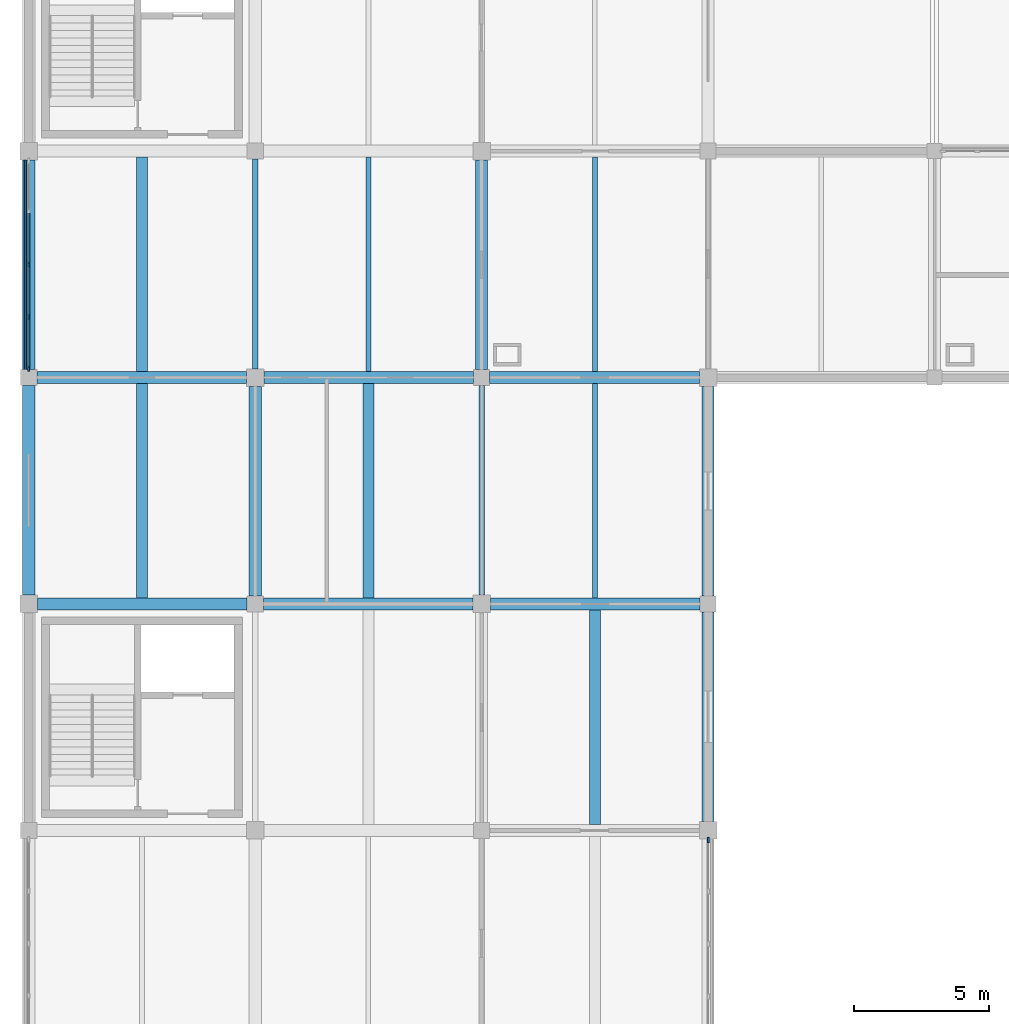
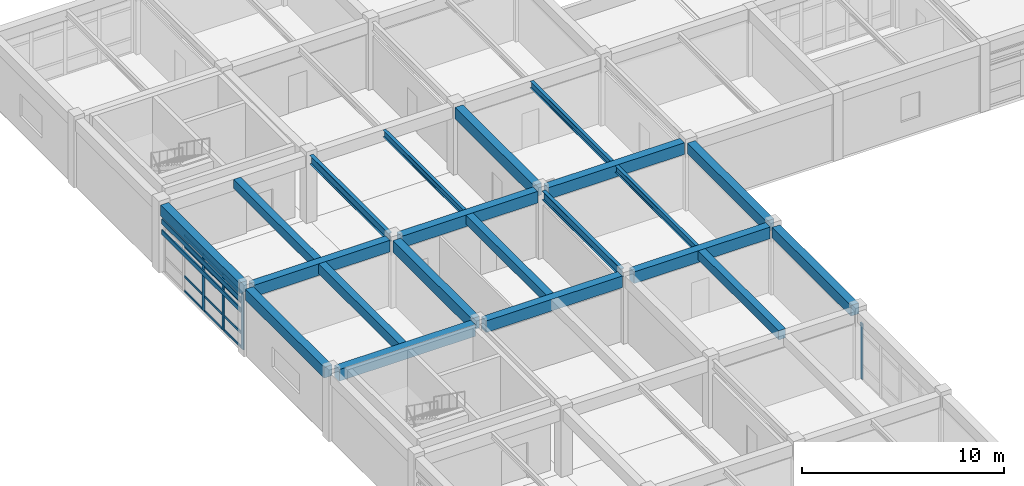
# One storey, part 11 of 74: 21 beams, 18 members, 2 elements without a shape of their own.
"""IFC4 building model written with IfcOpenShell, lengths in metres."""

import ifcopenshell
import ifcopenshell.guid

model = None  # the IFC model being written
_history = None  # IfcOwnerHistory: only IFC2X3 demands one
_inside = {}  # id of a spatial element -> (the spatial element, [elements in it])
_under = {}  # id of a project, library or spatial element -> (it, [spatial elements below it])
_declared = {}  # id of a project -> (the project, [libraries it declares])
_typed = {}  # id of a type object -> (the type object, [elements of that type])
_made_of = {}  # id of a material, layer set ... -> (it, [elements and type objects made of it])


def new_model(schema):
    """Start an empty IFC model of exactly this schema.

    Asked for "IFC4X3", IfcOpenShell would pick the latest addendum, in which some entities
    have other attributes; the version numbers below select the first issue.
    IFC2X3 requires an IfcOwnerHistory on every rooted entity: one is made here for all.
    """
    global model, _history
    if schema == "IFC4X3":
        model = ifcopenshell.file(schema_version=(4, 3, 0, 0))
    else:
        model = ifcopenshell.file(schema=schema)
    _inside.clear()
    _under.clear()
    _declared.clear()
    _typed.clear()
    _made_of.clear()
    _history = None
    if model.schema == "IFC2X3":
        org = make("IfcOrganization", Name="unknown")
        user = make(
            "IfcPersonAndOrganization",
            ThePerson=make("IfcPerson", FamilyName="unknown"),
            TheOrganization=org,
        )
        app = make(
            "IfcApplication",
            ApplicationDeveloper=org,
            Version="unknown",
            ApplicationFullName="unknown",
            ApplicationIdentifier="unknown",
        )
        _history = make(
            "IfcOwnerHistory",
            OwningUser=user,
            OwningApplication=app,
            ChangeAction="ADDED",
            CreationDate=0,
        )
    return model


def make(cls, **values):
    """One entity of the class cls with the attributes given. An attribute that is None is left unset."""
    return model.create_entity(
        cls, **{name: value for name, value in values.items() if value is not None}
    )


def rooted(cls, **values):
    """An entity with a GlobalId (a new one), such as an element, a storey or a relation."""
    return make(cls, GlobalId=ifcopenshell.guid.new(), OwnerHistory=_history, **values)


def si_unit(unit_type, name, prefix=None):
    """IfcSIUnit, for example si_unit("LENGTHUNIT", "METRE", prefix="MILLI")."""
    return make("IfcSIUnit", UnitType=unit_type, Prefix=prefix, Name=name)


def assignment(units):
    """IfcUnitAssignment: the units of a project."""
    return None if units is None else make("IfcUnitAssignment", Units=units)


def point(xyz):
    """IfcCartesianPoint."""
    return None if xyz is None else make("IfcCartesianPoint", Coordinates=xyz)


def direction(xyz):
    """IfcDirection."""
    return None if xyz is None else make("IfcDirection", DirectionRatios=xyz)


def frame(location, z_axis=None, x_axis=None):
    """IfcAxis2Placement3D, a coordinate frame: its origin and axes. An axis left out is left unset."""
    return make(
        "IfcAxis2Placement3D",
        Location=point(location),
        Axis=direction(z_axis),
        RefDirection=direction(x_axis),
    )


def frame_2d(location, x_axis=None):
    """IfcAxis2Placement2D, a coordinate frame in the plane: its origin and x axis."""
    return make(
        "IfcAxis2Placement2D", Location=point(location), RefDirection=direction(x_axis)
    )


def origin():
    """The frame at (0, 0, 0) with its axes left unset."""
    return frame((0.0, 0.0, 0.0))


def origin_2d():
    """The frame at (0, 0) in the plane with its x axis left unset."""
    return frame_2d((0.0, 0.0))


def place(relative_to, where):
    """IfcLocalPlacement: puts the frame where relative to a parent placement (None: the world)."""
    return make(
        "IfcLocalPlacement", PlacementRelTo=relative_to, RelativePlacement=where
    )


def context(
    kind, dimensions, precision=None, world=None, true_north=None, identifier=None
):
    """IfcGeometricRepresentationContext, for example the 3D "Model" context."""
    return make(
        "IfcGeometricRepresentationContext",
        ContextIdentifier=identifier,
        ContextType=kind,
        CoordinateSpaceDimension=dimensions,
        Precision=precision,
        WorldCoordinateSystem=world,
        TrueNorth=true_north,
    )


def subcontext(parent, identifier, kind, view, scale=None):
    """IfcGeometricRepresentationSubContext, for example "Body" below "Model"."""
    return make(
        "IfcGeometricRepresentationSubContext",
        ContextIdentifier=identifier,
        ContextType=kind,
        ParentContext=parent,
        TargetScale=scale,
        TargetView=view,
    )


def project(units=None, contexts=None):
    """IfcProject with its units and contexts."""
    return rooted(
        "IfcProject",
        Name="project",
        RepresentationContexts=contexts,
        UnitsInContext=assignment(units),
    )


def spatial(cls, under=None, at=None, **own):
    """A site, building, storey or space (cls), placed at a placement, below another one or the project."""
    s = rooted(cls, ObjectPlacement=at, **own)
    if under is not None:
        _under.setdefault(under.id(), (under, []))[1].append(s)
    return s


def profile(cls, at=None, kind="AREA", **sizes):
    """A parametric profile (cls). Its sizes go by their IFC names, for example OverallWidth=200.0."""
    return make(cls, ProfileType=kind, Position=at, **sizes)


def rectangle(**sizes):
    """IfcRectangleProfileDef."""
    return profile("IfcRectangleProfileDef", **sizes)


def i_section(**sizes):
    """IfcIShapeProfileDef."""
    return profile("IfcIShapeProfileDef", **sizes)


def extrude(swept, where, along, depth):
    """IfcExtrudedAreaSolid: the profile swept, set in the frame where, extruded along a direction by depth."""
    return make(
        "IfcExtrudedAreaSolid",
        SweptArea=swept,
        Position=where,
        ExtrudedDirection=direction(along),
        Depth=depth,
    )


def shape(context_of_items, identifier, shape_type, items):
    """IfcShapeRepresentation: the items that make up one representation, for example the "Body"."""
    return make(
        "IfcShapeRepresentation",
        ContextOfItems=context_of_items,
        RepresentationIdentifier=identifier,
        RepresentationType=shape_type,
        Items=items,
    )


def material(Name=None, Category=None):
    """IfcMaterial."""
    return make("IfcMaterial", Name=Name, Category=Category)


def layer(
    of_material, thickness, ventilated=None, Name=None, Category=None, Priority=None
):
    """IfcMaterialLayer: one layer of a wall or slab, of a material (None: an air gap)."""
    return make(
        "IfcMaterialLayer",
        Material=of_material,
        LayerThickness=thickness,
        IsVentilated=ventilated,
        Name=Name,
        Category=Category,
        Priority=Priority,
    )


def layer_set(layers, Name=None):
    """IfcMaterialLayerSet."""
    return make("IfcMaterialLayerSet", MaterialLayers=layers, LayerSetName=Name)


def material_profile(
    of_material, cross_section, Name=None, Category=None, Priority=None
):
    """IfcMaterialProfile: a cross section and its material."""
    return make(
        "IfcMaterialProfile",
        Name=Name,
        Material=of_material,
        Profile=cross_section,
        Priority=Priority,
        Category=Category,
    )


def profile_set(profiles, Name=None, composite=None):
    """IfcMaterialProfileSet."""
    return make(
        "IfcMaterialProfileSet",
        Name=Name,
        MaterialProfiles=profiles,
        CompositeProfile=composite,
    )


def made_of(thing, what):
    """Note that an element or type object is made of a material, layer set ...; save() writes the relation."""
    if what is not None:
        _made_of.setdefault(what.id(), (what, []))[1].append(thing)
    return thing


def type_object(cls, material=None, **own):
    """A type object (cls), such as IfcWallType, which elements share."""
    return made_of(rooted(cls, **own), material)


def element(
    cls,
    number,
    at=None,
    inside=None,
    cuts=None,
    type_object=None,
    material=None,
    context=None,
    identifier="Body",
    shape_type=None,
    held_by="IfcProductDefinitionShape",
    body=None,
    shapes=None,
    **own,
):
    """One element of the class cls, such as IfcWall. Its Tag is "e" and its number.

    at: its placement. inside: the storey or other place that contains it. cuts: it is an
    opening in that element (IfcRelVoidsElement). A single representation is given by context,
    identifier, shape_type and body (its items); several are given by shapes. held_by: the class
    of the entity that holds the representations. save() writes the other relations.
    """
    e = rooted(cls, Tag="e%d" % number, ObjectPlacement=at, **own)
    if body is not None:
        shapes = [shape(context, identifier, shape_type, body)]
    if shapes is not None:
        e.Representation = make(held_by, Representations=shapes)
    if inside is not None:
        _inside.setdefault(inside.id(), (inside, []))[1].append(e)
    if cuts is not None:
        rooted(
            "IfcRelVoidsElement", RelatingBuildingElement=cuts, RelatedOpeningElement=e
        )
    if type_object is not None:
        _typed.setdefault(type_object.id(), (type_object, []))[1].append(e)
    return made_of(e, material)


def aggregate(whole, parts):
    """IfcRelAggregates: a whole, such as a stair, and the parts it consists of."""
    return rooted("IfcRelAggregates", RelatingObject=whole, RelatedObjects=parts)


def save(model, path):
    """Write the relations noted so far, then the file.

    IfcRelAggregates (storeys below a building ...), IfcRelContainedInSpatialStructure (elements
    in a storey), IfcRelDefinesByType, IfcRelAssociatesMaterial and IfcRelDeclares: one each for
    every whole, place, type object, material and project.
    """
    for whole, parts in _under.values():
        aggregate(whole, parts)
    for where, things in _inside.values():
        rooted(
            "IfcRelContainedInSpatialStructure",
            RelatedElements=things,
            RelatingStructure=where,
        )
    for kind, things in _typed.values():
        rooted("IfcRelDefinesByType", RelatedObjects=things, RelatingType=kind)
    for what, things in _made_of.values():
        rooted("IfcRelAssociatesMaterial", RelatedObjects=things, RelatingMaterial=what)
    for by, libraries in _declared.values():
        rooted("IfcRelDeclares", RelatingContext=by, RelatedDefinitions=libraries)
    model.write(path)


model = new_model("IFC4")

# Units and contexts
model_context = context("Model", 3, precision=1e-05, world=origin(), true_north=direction((0.0, 1.0)))
body_context = subcontext(model_context, "Body", "Model", "MODEL_VIEW")
ifc_project = project(units=[si_unit("LENGTHUNIT", "METRE"), si_unit("AREAUNIT", "SQUARE_METRE"), si_unit("VOLUMEUNIT", "CUBIC_METRE"), si_unit("PLANEANGLEUNIT", "RADIAN"), si_unit("MASSUNIT", "GRAM", prefix="KILO")], contexts=[model_context])

# Site, building, storey
site_placement = place(None, origin())
site = spatial("IfcSite", under=ifc_project, at=site_placement, CompositionType="ELEMENT")
building_placement = place(site_placement, origin())
building = spatial("IfcBuilding", under=site, at=building_placement, Name="Porcellanite Civic Hall", CompositionType="ELEMENT")
storey_placement = place(building_placement, frame((0.0, 0.0, 14.760009765625)))
storey = spatial("IfcBuildingStorey", under=building, at=storey_placement, Name="L03", CompositionType="ELEMENT", Elevation=14.760009765625)

# Beams
ifc_material_1 = material(Name="Concrete N50 (50 MPa)", Category="concrete")
ifc_material_profile_1 = material_profile(ifc_material_1, rectangle(XDim=0.39990234375, YDim=0.550048828125, at=origin_2d()), Name="RC-400x550")
ifc_profile_set_1 = profile_set([ifc_material_profile_1], Name="Concrete N50 (50 MPa)")
beam_type_1 = type_object("IfcBeamType", Name="BM-RC550", PredefinedType="JOIST", material=ifc_profile_set_1)
for number, where, z_axis, x_axis, name in (
    (1, (12.60009765625, 50.62451171875, 3.794921875), (0.0, 1.0, 0.0), (-1.0, 0.0, 0.0), "Secondary joist L03 2-7"),
    (2, (21.0, 42.224609375, 3.794921875), (0.0, 1.0, 0.0), (-1.0, 0.0, 0.0), "Secondary joist L03 3-6"),
    (3, (29.39990234375, 33.824462890625, 3.794921875), (0.0, 1.0, 0.0), (-1.0, 0.0, 0.0), "Secondary joist L03 4-5"),
):
    element("IfcBeam", number, at=place(storey_placement, frame(where, z_axis=z_axis, x_axis=x_axis)), inside=storey, type_object=beam_type_1, Name=name, PredefinedType="JOIST", context=body_context, shape_type="SweptSolid", body=[
        extrude(rectangle(XDim=0.39990234375, YDim=0.550048828125, at=origin_2d()), origin(), (0.0, 0.0, 1.0), 7.950927734375),
    ])
ifc_material_2 = material(Name="Concrete N50 (50 MPa)", Category="concrete")
ifc_material_profile_2 = material_profile(ifc_material_2, rectangle(XDim=0.39990234375, YDim=0.60009765625, at=origin_2d()), Name="RC-400x600")
ifc_profile_set_2 = profile_set([ifc_material_profile_2], Name="Concrete N50 (50 MPa)")
beam_type_2 = type_object("IfcBeamType", Name="BM-RC600", PredefinedType="JOIST", material=ifc_profile_set_2)
beam_1_placement = place(storey_placement, frame((12.60009765625, 42.224609375, 3.77001953125), z_axis=(0.0, 1.0, 0.0), x_axis=(-1.0, 0.0, 0.0)))
element("IfcBeam", 4, at=beam_1_placement, inside=storey, type_object=beam_type_2, Name="Secondary joist L03 2-6", PredefinedType="JOIST", context=body_context, shape_type="SweptSolid", body=[
    extrude(rectangle(XDim=0.39990234375, YDim=0.60009765625, at=origin_2d()), origin(), (0.0, 0.0, 1.0), 7.950927734375),
])
ifc_material_3 = material(Name="Concrete N50 (50 MPa)", Category="concrete")
ifc_material_profile_3 = material_profile(ifc_material_3, rectangle(XDim=0.449951171875, YDim=0.64990234375, at=origin_2d()), Name="RC-450x650")
ifc_profile_set_3 = profile_set([ifc_material_profile_3], Name="Concrete N50 (50 MPa)")
beam_type_3 = type_object("IfcBeamType", Name="BM-RC650", PredefinedType="SPANDREL", material=ifc_profile_set_3)
for number, where, z_axis, x_axis, name in (
    (5, (8.39990234375, 42.324462890625, 3.744873046875), (0.0, 1.0, 0.0), (-1.0, 0.0, 0.0), "Beam Y L03 2-6"),
    (6, (8.39990234375, 50.699462890625, 3.744873046875), (0.0, 1.0, 0.0), (-1.0, 0.0, 0.0), "Beam Y L03 2-7"),
):
    element("IfcBeam", number, at=place(storey_placement, frame(where, z_axis=z_axis, x_axis=x_axis)), inside=storey, type_object=beam_type_3, Name=name, PredefinedType="SPANDREL", context=body_context, shape_type="SweptSolid", body=[
        extrude(rectangle(XDim=0.449951171875, YDim=0.64990234375, at=origin_2d()), origin(), (0.0, 0.0, 1.0), 7.776123046875),
    ])
for number, where, z_axis, x_axis, name in (
    (7, (33.60009765625, 33.924560546875, 3.744873046875), (0.0, 1.0, 0.0), (-1.0, 0.0, 0.0), "Beam Y L03 5-5"),
    (8, (33.60009765625, 42.299560546875, 3.744873046875), (0.0, 1.0, 0.0), (-1.0, 0.0, 0.0), "Beam Y L03 5-6"),
):
    element("IfcBeam", number, at=place(storey_placement, frame(where, z_axis=z_axis, x_axis=x_axis)), inside=storey, type_object=beam_type_3, Name=name, PredefinedType="SPANDREL", context=body_context, shape_type="SweptSolid", body=[
        extrude(rectangle(XDim=0.449951171875, YDim=0.64990234375, at=origin_2d()), origin(), (0.0, 0.0, 1.0), 7.77587890625),
    ])
ifc_material_4 = material(Name="Concrete N50 (50 MPa)", Category="concrete")
ifc_material_profile_4 = material_profile(ifc_material_4, rectangle(XDim=0.449951171875, YDim=0.699951171875, at=origin_2d()), Name="RC-450x700")
ifc_profile_set_4 = profile_set([ifc_material_profile_4], Name="Concrete N50 (50 MPa)")
beam_type_4 = type_object("IfcBeamType", Name="BM-RC700", PredefinedType="BEAM", material=ifc_profile_set_4)
beam_2_placement = place(storey_placement, frame((8.724609375, 42.0, 3.719970703125), z_axis=(1.0, 0.0, 0.0), x_axis=(0.0, 1.0, 0.0)))
element("IfcBeam", 9, at=beam_2_placement, inside=storey, type_object=beam_type_4, Name="Beam X L03 2-6", PredefinedType="BEAM", context=body_context, shape_type="SweptSolid", body=[
    extrude(rectangle(XDim=0.449951171875, YDim=0.699951171875, at=origin_2d()), origin(), (0.0, 0.0, 1.0), 7.77587890625),
])
beam_3_placement = place(storey_placement, frame((8.699462890625, 50.39990234375, 3.719970703125), z_axis=(1.0, 0.0, 0.0), x_axis=(0.0, 1.0, 0.0)))
element("IfcBeam", 10, at=beam_3_placement, inside=storey, type_object=beam_type_4, Name="Beam X L03 2-7", PredefinedType="BEAM", context=body_context, shape_type="SweptSolid", body=[
    extrude(rectangle(XDim=0.449951171875, YDim=0.699951171875, at=origin_2d()), origin(), (0.0, 0.0, 1.0), 7.776123046875),
])
for number, where, z_axis, x_axis, name in (
    (11, (17.099609375, 42.0, 3.719970703125), (1.0, 0.0, 0.0), (0.0, 1.0, 0.0), "Beam X L03 3-6"),
    (12, (17.12451171875, 50.39990234375, 3.719970703125), (1.0, 0.0, 0.0), (0.0, 1.0, 0.0), "Beam X L03 3-7"),
):
    element("IfcBeam", number, at=place(storey_placement, frame(where, z_axis=z_axis, x_axis=x_axis)), inside=storey, type_object=beam_type_4, Name=name, PredefinedType="BEAM", context=body_context, shape_type="SweptSolid", body=[
        extrude(rectangle(XDim=0.449951171875, YDim=0.699951171875, at=origin_2d()), origin(), (0.0, 0.0, 1.0), 7.77587890625),
    ])
beam_4_placement = place(storey_placement, frame((25.5244140625, 42.0, 3.719970703125), z_axis=(1.0, 0.0, 0.0), x_axis=(0.0, 1.0, 0.0)))
element("IfcBeam", 13, at=beam_4_placement, inside=storey, type_object=beam_type_4, Name="Beam X L03 4-6", PredefinedType="BEAM", context=body_context, shape_type="SweptSolid", body=[
    extrude(rectangle(XDim=0.449951171875, YDim=0.699951171875, at=origin_2d()), origin(), (0.0, 0.0, 1.0), 7.776123046875),
])
for number, where, z_axis, x_axis, name in (
    (14, (25.49951171875, 50.39990234375, 3.719970703125), (1.0, 0.0, 0.0), (0.0, 1.0, 0.0), "Beam X L03 4-7"),
    (15, (16.800048828125, 42.299560546875, 3.719970703125), (0.0, 1.0, 0.0), (-1.0, 0.0, 0.0), "Beam Y L03 3-6"),
):
    element("IfcBeam", number, at=place(storey_placement, frame(where, z_axis=z_axis, x_axis=x_axis)), inside=storey, type_object=beam_type_4, Name=name, PredefinedType="BEAM", context=body_context, shape_type="SweptSolid", body=[
        extrude(rectangle(XDim=0.449951171875, YDim=0.699951171875, at=origin_2d()), origin(), (0.0, 0.0, 1.0), 7.77587890625),
    ])
beam_5_placement = place(storey_placement, frame((25.199951171875, 50.699462890625, 3.719970703125), z_axis=(0.0, 1.0, 0.0), x_axis=(-1.0, 0.0, 0.0)))
element("IfcBeam", 16, at=beam_5_placement, inside=storey, type_object=beam_type_4, Name="Beam Y L03 4-7", PredefinedType="BEAM", context=body_context, shape_type="SweptSolid", body=[
    extrude(rectangle(XDim=0.449951171875, YDim=0.699951171875, at=origin_2d()), origin(), (0.0, 0.0, 1.0), 7.776123046875),
])

# Curtain wall, members
ifc_material_5 = material(Name="Anodised aluminium and solar laminated glass", Category="aluminium")
ifc_layer = layer(ifc_material_5, 0.179931640625)
ifc_layer_set = layer_set([ifc_layer], Name="Anodised aluminium and solar laminated glass")
curtain_wall_type = type_object("IfcCurtainWallType", Name="CW-SYS05", PredefinedType="NOTDEFINED", material=ifc_layer_set)
curtain_wall_1_placement = place(storey_placement, origin())
curtain_wall_1 = element("IfcCurtainWall", 17, at=curtain_wall_1_placement, inside=storey, type_object=curtain_wall_type, Name="Curtain wall CW-184", PredefinedType="NOTDEFINED")
ifc_material_6 = material(Name="Anodised aluminium 6063-T6", Category="aluminium")
ifc_material_profile_5 = material_profile(ifc_material_6, rectangle(XDim=0.070068359375, YDim=0.199951171875, at=origin_2d()), Name="AL-70x200")
ifc_profile_set_5 = profile_set([ifc_material_profile_5], Name="Anodised aluminium 6063-T6")
member_type_1 = type_object("IfcMemberType", Name="CWM-05", PredefinedType="MULLION", material=ifc_profile_set_5)
member_1_placement = place(storey_placement, frame((8.39990234375, 50.736083984375, 0.0), z_axis=(0.0, 0.0, 1.0), x_axis=(-1.0, 0.0, 0.0)))
member_1 = element("IfcMember", 18, at=member_1_placement, type_object=member_type_1, Name="CW-184 mullion 1", PredefinedType="MULLION", context=body_context, shape_type="SweptSolid", body=[
    extrude(rectangle(XDim=0.070068359375, YDim=0.199951171875, at=origin_2d()), origin(), (0.0, 0.0, 1.0), 3.369873046875),
])
member_2_placement = place(storey_placement, frame((8.39990234375, 52.644287109375, 0.0), z_axis=(0.0, 0.0, 1.0), x_axis=(-1.0, 0.0, 0.0)))
member_2 = element("IfcMember", 19, at=member_2_placement, type_object=member_type_1, Name="CW-184 mullion 2", PredefinedType="MULLION", context=body_context, shape_type="SweptSolid", body=[
    extrude(rectangle(XDim=0.070068359375, YDim=0.199951171875, at=origin_2d()), origin(), (0.0, 0.0, 1.0), 3.369873046875),
])
member_3_placement = place(storey_placement, frame((8.39990234375, 54.58740234375, 0.0), z_axis=(0.0, 0.0, 1.0), x_axis=(-1.0, 0.0, 0.0)))
member_3 = element("IfcMember", 20, at=member_3_placement, type_object=member_type_1, Name="CW-184 mullion 3", PredefinedType="MULLION", context=body_context, shape_type="SweptSolid", body=[
    extrude(rectangle(XDim=0.070068359375, YDim=0.199951171875, at=origin_2d()), origin(), (0.0, 0.0, 1.0), 3.369873046875),
])

# Curtain wall, member
curtain_wall_2_placement = place(storey_placement, origin())
curtain_wall_2 = element("IfcCurtainWall", 21, at=curtain_wall_2_placement, inside=storey, type_object=curtain_wall_type, Name="Curtain wall CW-186", PredefinedType="NOTDEFINED")
member_4_placement = place(storey_placement, frame((33.60009765625, 33.239013671875, 0.0), z_axis=(0.0, 0.0, 1.0), x_axis=(1.0, 0.0, 0.0)))
member_4 = element("IfcMember", 22, at=member_4_placement, type_object=member_type_1, Name="CW-186 mullion 1", PredefinedType="MULLION", context=body_context, shape_type="SweptSolid", body=[
    extrude(rectangle(XDim=0.070068359375, YDim=0.199951171875, at=origin_2d()), origin(), (0.0, 0.0, 1.0), 3.369873046875),
])
aggregate(curtain_wall_2, [member_4])

# Member
ifc_material_7 = material(Name="Anodised aluminium 6063-T6", Category="aluminium")
ifc_material_profile_6 = material_profile(ifc_material_7, rectangle(XDim=0.06005859375, YDim=0.1298828125, at=origin_2d()), Name="AL-60x130")
ifc_profile_set_6 = profile_set([ifc_material_profile_6], Name="Anodised aluminium 6063-T6")
member_type_2 = type_object("IfcMemberType", Name="CWT-03", PredefinedType="USERDEFINED", material=ifc_profile_set_6)
member_5_placement = place(storey_placement, frame((8.39990234375, 50.77099609375, 0.030029296875), z_axis=(0.0, 1.0, 0.0), x_axis=(-1.0, 0.0, 0.0)))
member_5 = element("IfcMember", 23, at=member_5_placement, type_object=member_type_2, Name="CW-184 transom 1.1", ObjectType="TRANSOM", PredefinedType="USERDEFINED", context=body_context, shape_type="SweptSolid", body=[
    extrude(rectangle(XDim=0.06005859375, YDim=0.1298828125, at=origin_2d()), origin(), (0.0, 0.0, 1.0), 1.838134765625),
])

member_6_placement = place(storey_placement, frame((8.39990234375, 50.77099609375, 0.89990234375), z_axis=(0.0, 1.0, 0.0), x_axis=(-1.0, 0.0, 0.0)))
member_6 = element("IfcMember", 24, at=member_6_placement, type_object=member_type_2, Name="CW-184 transom 1.2", ObjectType="TRANSOM", PredefinedType="USERDEFINED", context=body_context, shape_type="SweptSolid", body=[
    extrude(rectangle(XDim=0.06005859375, YDim=0.1298828125, at=origin_2d()), origin(), (0.0, 0.0, 1.0), 1.838134765625),
])

member_7_placement = place(storey_placement, frame((8.39990234375, 50.77099609375, 2.719970703125), z_axis=(0.0, 1.0, 0.0), x_axis=(-1.0, 0.0, 0.0)))
member_7 = element("IfcMember", 25, at=member_7_placement, type_object=member_type_2, Name="CW-184 transom 1.3", ObjectType="TRANSOM", PredefinedType="USERDEFINED", context=body_context, shape_type="SweptSolid", body=[
    extrude(rectangle(XDim=0.06005859375, YDim=0.1298828125, at=origin_2d()), origin(), (0.0, 0.0, 1.0), 1.838134765625),
])

member_8_placement = place(storey_placement, frame((8.39990234375, 50.77099609375, 3.340087890625), z_axis=(0.0, 1.0, 0.0), x_axis=(-1.0, 0.0, 0.0)))
member_8 = element("IfcMember", 26, at=member_8_placement, type_object=member_type_2, Name="CW-184 transom 1.4", ObjectType="TRANSOM", PredefinedType="USERDEFINED", context=body_context, shape_type="SweptSolid", body=[
    extrude(rectangle(XDim=0.06005859375, YDim=0.1298828125, at=origin_2d()), origin(), (0.0, 0.0, 1.0), 1.838134765625),
])

member_9_placement = place(storey_placement, frame((8.39990234375, 52.67919921875, 0.030029296875), z_axis=(0.0, 1.0, 0.0), x_axis=(-1.0, 0.0, 0.0)))
member_9 = element("IfcMember", 27, at=member_9_placement, type_object=member_type_2, Name="CW-184 transom 2.1", ObjectType="TRANSOM", PredefinedType="USERDEFINED", context=body_context, shape_type="SweptSolid", body=[
    extrude(rectangle(XDim=0.06005859375, YDim=0.1298828125, at=origin_2d()), origin(), (0.0, 0.0, 1.0), 1.873291015625),
])

member_10_placement = place(storey_placement, frame((8.39990234375, 52.67919921875, 0.89990234375), z_axis=(0.0, 1.0, 0.0), x_axis=(-1.0, 0.0, 0.0)))
member_10 = element("IfcMember", 28, at=member_10_placement, type_object=member_type_2, Name="CW-184 transom 2.2", ObjectType="TRANSOM", PredefinedType="USERDEFINED", context=body_context, shape_type="SweptSolid", body=[
    extrude(rectangle(XDim=0.06005859375, YDim=0.1298828125, at=origin_2d()), origin(), (0.0, 0.0, 1.0), 1.873291015625),
])

member_11_placement = place(storey_placement, frame((8.39990234375, 52.67919921875, 2.719970703125), z_axis=(0.0, 1.0, 0.0), x_axis=(-1.0, 0.0, 0.0)))
member_11 = element("IfcMember", 29, at=member_11_placement, type_object=member_type_2, Name="CW-184 transom 2.3", ObjectType="TRANSOM", PredefinedType="USERDEFINED", context=body_context, shape_type="SweptSolid", body=[
    extrude(rectangle(XDim=0.06005859375, YDim=0.1298828125, at=origin_2d()), origin(), (0.0, 0.0, 1.0), 1.873291015625),
])

member_12_placement = place(storey_placement, frame((8.39990234375, 52.67919921875, 3.340087890625), z_axis=(0.0, 1.0, 0.0), x_axis=(-1.0, 0.0, 0.0)))
member_12 = element("IfcMember", 30, at=member_12_placement, type_object=member_type_2, Name="CW-184 transom 2.4", ObjectType="TRANSOM", PredefinedType="USERDEFINED", context=body_context, shape_type="SweptSolid", body=[
    extrude(rectangle(XDim=0.06005859375, YDim=0.1298828125, at=origin_2d()), origin(), (0.0, 0.0, 1.0), 1.873291015625),
])

member_13_placement = place(storey_placement, frame((8.39990234375, 54.62255859375, 0.030029296875), z_axis=(0.0, 1.0, 0.0), x_axis=(-1.0, 0.0, 0.0)))
member_13 = element("IfcMember", 31, at=member_13_placement, type_object=member_type_2, Name="CW-184 transom 3.1", ObjectType="TRANSOM", PredefinedType="USERDEFINED", context=body_context, shape_type="SweptSolid", body=[
    extrude(rectangle(XDim=0.06005859375, YDim=0.1298828125, at=origin_2d()), origin(), (0.0, 0.0, 1.0), 1.873291015625),
])

member_14_placement = place(storey_placement, frame((8.39990234375, 54.62255859375, 0.89990234375), z_axis=(0.0, 1.0, 0.0), x_axis=(-1.0, 0.0, 0.0)))
member_14 = element("IfcMember", 32, at=member_14_placement, type_object=member_type_2, Name="CW-184 transom 3.2", ObjectType="TRANSOM", PredefinedType="USERDEFINED", context=body_context, shape_type="SweptSolid", body=[
    extrude(rectangle(XDim=0.06005859375, YDim=0.1298828125, at=origin_2d()), origin(), (0.0, 0.0, 1.0), 1.873291015625),
])

member_15_placement = place(storey_placement, frame((8.39990234375, 54.62255859375, 2.719970703125), z_axis=(0.0, 1.0, 0.0), x_axis=(-1.0, 0.0, 0.0)))
member_15 = element("IfcMember", 33, at=member_15_placement, type_object=member_type_2, Name="CW-184 transom 3.3", ObjectType="TRANSOM", PredefinedType="USERDEFINED", context=body_context, shape_type="SweptSolid", body=[
    extrude(rectangle(XDim=0.06005859375, YDim=0.1298828125, at=origin_2d()), origin(), (0.0, 0.0, 1.0), 1.873291015625),
])

member_16_placement = place(storey_placement, frame((8.39990234375, 54.62255859375, 3.340087890625), z_axis=(0.0, 1.0, 0.0), x_axis=(-1.0, 0.0, 0.0)))
member_16 = element("IfcMember", 34, at=member_16_placement, type_object=member_type_2, Name="CW-184 transom 3.4", ObjectType="TRANSOM", PredefinedType="USERDEFINED", context=body_context, shape_type="SweptSolid", body=[
    extrude(rectangle(XDim=0.06005859375, YDim=0.1298828125, at=origin_2d()), origin(), (0.0, 0.0, 1.0), 1.873291015625),
])

aggregate(curtain_wall_1, [member_1, member_2, member_3, member_5, member_6, member_7, member_8, member_9, member_10, member_11, member_12, member_13, member_14, member_15, member_16])

# Beams
ifc_material_8 = material(Name="Steel Grade 350", Category="steel")
ifc_material_profile_7 = material_profile(ifc_material_8, i_section(OverallWidth=0.177978515625, OverallDepth=0.403076171875, WebThickness=0.007568359375, FlangeThickness=0.010986328125, FilletRadius=0.011474609375, at=origin_2d()), Name="410UB53.7")
ifc_profile_set_7 = profile_set([ifc_material_profile_7], Name="Steel Grade 350")
beam_type_5 = type_object("IfcBeamType", Name="JST-410UB54", PredefinedType="JOIST", material=ifc_profile_set_7)
beam_6_placement = place(storey_placement, frame((29.39990234375, 50.62451171875, 3.868408203125), z_axis=(0.0, 1.0, 0.0), x_axis=(-1.0, 0.0, 0.0)))
element("IfcBeam", 35, at=beam_6_placement, inside=storey, type_object=beam_type_5, Name="Secondary joist L03 4-7", PredefinedType="JOIST", context=body_context, shape_type="SweptSolid", body=[
    extrude(i_section(OverallWidth=0.177978515625, OverallDepth=0.403076171875, WebThickness=0.007568359375, FlangeThickness=0.010986328125, FilletRadius=0.011474609375, at=origin_2d()), origin(), (0.0, 0.0, 1.0), 7.950927734375),
])
ifc_material_9 = material(Name="Steel Grade 350", Category="steel")
ifc_material_profile_8 = material_profile(ifc_material_9, i_section(OverallWidth=0.177978515625, OverallDepth=0.406005859375, WebThickness=0.0078125, FlangeThickness=0.0126953125, FilletRadius=0.011474609375, at=origin_2d()), Name="410UB59.7")
ifc_profile_set_8 = profile_set([ifc_material_profile_8], Name="Steel Grade 350")
beam_type_6 = type_object("IfcBeamType", Name="JST-410UB60", PredefinedType="JOIST", material=ifc_profile_set_8)
for number, where, z_axis, x_axis, name in (
    (36, (21.0, 50.62451171875, 3.866943359375), (0.0, 1.0, 0.0), (-1.0, 0.0, 0.0), "Secondary joist L03 3-7"),
    (37, (29.39990234375, 42.224609375, 3.866943359375), (0.0, 1.0, 0.0), (-1.0, 0.0, 0.0), "Secondary joist L03 4-6"),
):
    element("IfcBeam", number, at=place(storey_placement, frame(where, z_axis=z_axis, x_axis=x_axis)), inside=storey, type_object=beam_type_6, Name=name, PredefinedType="JOIST", context=body_context, shape_type="SweptSolid", body=[
        extrude(i_section(OverallWidth=0.177978515625, OverallDepth=0.406005859375, WebThickness=0.0078125, FlangeThickness=0.0126953125, FilletRadius=0.011474609375, at=origin_2d()), origin(), (0.0, 0.0, 1.0), 7.950927734375),
    ])

# Members
ifc_material_10 = material(Name="Fluoropolymer bauxite-red aluminium 6063-T6", Category="aluminium")
ifc_material_profile_9 = material_profile(ifc_material_10, rectangle(XDim=0.070068359375, YDim=0.280029296875, at=origin_2d()), Name="AL-70x280")
ifc_profile_set_9 = profile_set([ifc_material_profile_9], Name="Fluoropolymer bauxite-red aluminium 6063-T6")
member_type_3 = type_object("IfcMemberType", Name="LV-BLD05", PredefinedType="USERDEFINED", material=ifc_profile_set_9)
for number, where, z_axis, x_axis, name in (
    (38, (8.262939453125, 50.699462890625, 3.070068359375), (0.0, 1.0, 0.0), (-1.0, 0.0, 0.0), "Cyclone sunshade louvre L03 W 1-6 1"),
    (39, (8.262939453125, 50.699462890625, 2.419921875), (0.0, 1.0, 0.0), (-1.0, 0.0, 0.0), "Cyclone sunshade louvre L03 W 1-6 2"),
):
    element("IfcMember", number, at=place(storey_placement, frame(where, z_axis=z_axis, x_axis=x_axis)), inside=storey, type_object=member_type_3, Name=name, ObjectType="LOUVRE BLADE", PredefinedType="USERDEFINED", context=body_context, shape_type="SweptSolid", body=[
        extrude(rectangle(XDim=0.070068359375, YDim=0.280029296875, at=origin_2d()), origin(), (0.0, 0.0, 1.0), 7.776123046875),
    ])

# Beams
ifc_material_11 = material(Name="Steel Grade 350", Category="steel")
ifc_material_profile_10 = material_profile(ifc_material_11, i_section(OverallWidth=0.208984375, OverallDepth=0.528076171875, WebThickness=0.009521484375, FlangeThickness=0.01318359375, FilletRadius=0.013916015625, at=origin_2d()), Name="530UB82.0")
ifc_profile_set_10 = profile_set([ifc_material_profile_10], Name="Steel Grade 350")
beam_type_7 = type_object("IfcBeamType", Name="RAF-530UB82", PredefinedType="BEAM", material=ifc_profile_set_10)
beam_7_placement = place(storey_placement, frame((16.800048828125, 50.724609375, 3.805908203125), z_axis=(0.0, 1.0, 0.0), x_axis=(-1.0, 0.0, 0.0)))
element("IfcBeam", 40, at=beam_7_placement, inside=storey, type_object=beam_type_7, Name="Beam Y L03 3-7", PredefinedType="BEAM", context=body_context, shape_type="SweptSolid", body=[
    extrude(i_section(OverallWidth=0.208984375, OverallDepth=0.528076171875, WebThickness=0.009521484375, FlangeThickness=0.01318359375, FilletRadius=0.013916015625, at=origin_2d()), origin(), (0.0, 0.0, 1.0), 7.77587890625),
])
beam_8_placement = place(storey_placement, frame((25.199951171875, 42.324462890625, 3.805908203125), z_axis=(0.0, 1.0, 0.0), x_axis=(-1.0, 0.0, 0.0)))
element("IfcBeam", 41, at=beam_8_placement, inside=storey, type_object=beam_type_7, Name="Beam Y L03 4-6", PredefinedType="BEAM", context=body_context, shape_type="SweptSolid", body=[
    extrude(i_section(OverallWidth=0.208984375, OverallDepth=0.528076171875, WebThickness=0.009521484375, FlangeThickness=0.01318359375, FilletRadius=0.013916015625, at=origin_2d()), origin(), (0.0, 0.0, 1.0), 7.776123046875),
])

save(model, "model.ifc")
